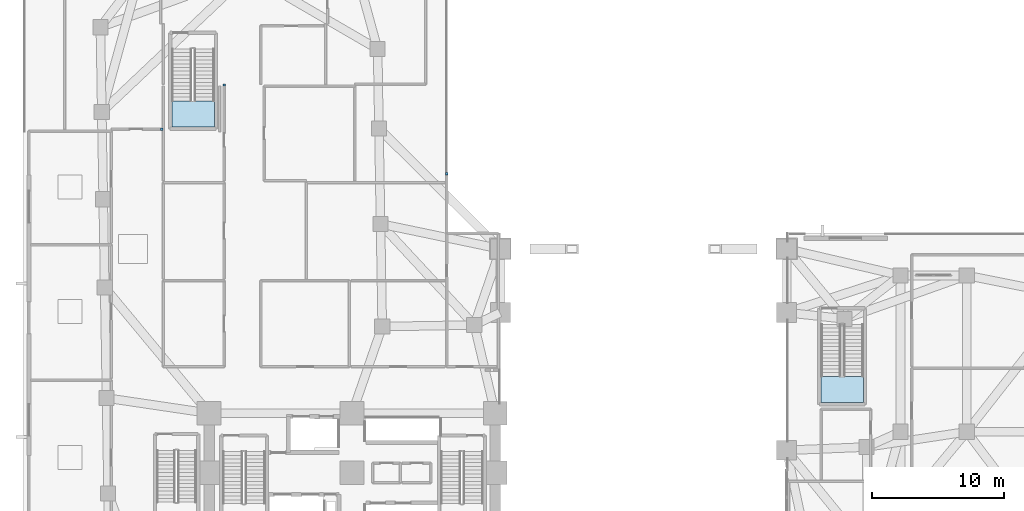
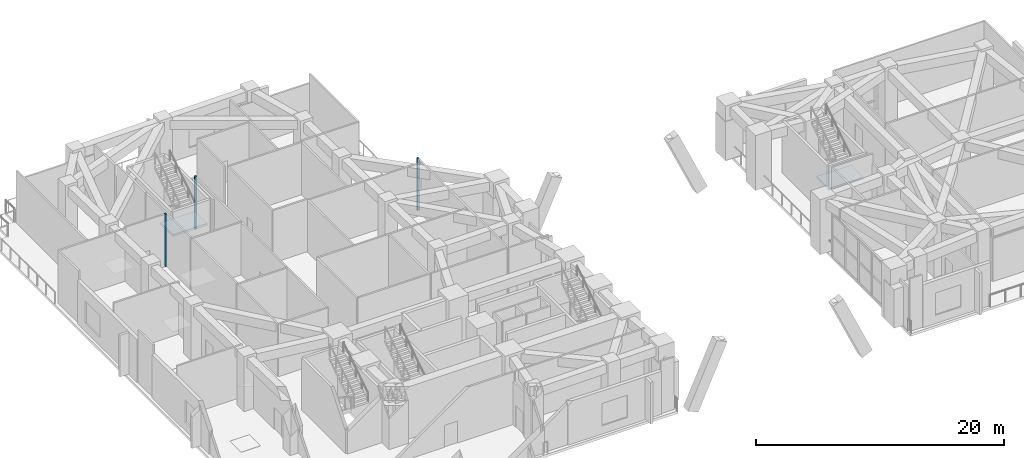
# One storey, part 6 of 18: 3 plates, 2 slabs, 2 elements without a shape of their own.
"""IFC4 building model written with IfcOpenShell, lengths in metres."""

from ifc_helpers import new_model, si_unit, direction, frame, origin, origin_2d, place, context, subcontext, project, spatial, polyline, rectangle, outline, extrude, material, layer, layer_set, type_object, element, aggregate, save


model = new_model("IFC4")

# Units and contexts
model_context = context("Model", 3, precision=1e-05, world=origin(), true_north=direction((0.0, 1.0)))
body_context = subcontext(model_context, "Body", "Model", "MODEL_VIEW")
ifc_project = project(units=[si_unit("LENGTHUNIT", "METRE"), si_unit("AREAUNIT", "SQUARE_METRE"), si_unit("VOLUMEUNIT", "CUBIC_METRE"), si_unit("PLANEANGLEUNIT", "RADIAN"), si_unit("MASSUNIT", "GRAM", prefix="KILO")], contexts=[model_context])

# Site, building, storey
site_placement = place(None, origin())
site = spatial("IfcSite", under=ifc_project, at=site_placement, CompositionType="ELEMENT")
building_placement = place(site_placement, origin())
building = spatial("IfcBuilding", under=site, at=building_placement, Name="Gaonmaruhae Medical Tower", CompositionType="ELEMENT")
storey_placement = place(building_placement, frame((0.0, 0.0, 16.199951171875)))
storey = spatial("IfcBuildingStorey", under=building, at=storey_placement, Name="L03", CompositionType="ELEMENT", Elevation=16.199951171875)

# Plates
ifc_material_1 = material(Name="Anodised aluminium 6063-T6", Category="aluminium")
ifc_layer_1 = layer(ifc_material_1, 0.011962890625)
ifc_layer_set_1 = layer_set([ifc_layer_1], Name="Anodised aluminium 6063-T6")
plate_type = type_object("IfcPlateType", Name="PP-01 Interior Partition Corner Stiffener Plate", PredefinedType="SHEET", material=ifc_layer_set_1)
for number, where, z_axis, x_axis, name in (
    (1, (15.139892578125, 41.580078125, 0.0), (0.0, 0.0, 1.0), (0.0, -1.0, 0.0), "L03 Partition End Jamb Post Plate PLT-L03-ENDP-PW074-0"),
    (2, (10.429931640625, 38.25, 0.0), (0.0, 0.0, 1.0), (-1.0, 0.0, 0.0), "L03 Partition End Jamb Post Plate PLT-L03-ENDP-PW090-0"),
    (3, (31.949951171875, 34.8798828125, 0.0), (0.0, 0.0, 1.0), (0.0, 1.0, 0.0), "L03 Partition End Jamb Post Plate PLT-L03-ENDP-PW021-1"),
):
    element("IfcPlate", number, at=place(storey_placement, frame(where, z_axis=z_axis, x_axis=x_axis)), inside=storey, type_object=plate_type, Name=name, PredefinedType="SHEET", context=body_context, shape_type="SweptSolid", body=[
        extrude(rectangle(XDim=0.179931640625, YDim=0.179931640625, at=origin_2d()), origin(), (0.0, 0.0, 1.0), 5.14990234375),
    ])

# Stair, slab
ifc_material_2 = material(Name="Concrete C40/50", Category="concrete")
stair_type = type_object("IfcStairType", Name="ST-T3 Podium Escape Dogleg Stair", PredefinedType="TWO_QUARTER_TURN_STAIR", material=ifc_material_2)
stair_1_placement = place(storey_placement, origin())
stair_1 = element("IfcStair", 4, at=stair_1_placement, inside=storey, type_object=stair_type, Name="L03 Protected Escape Stair ST-04", PredefinedType="TWO_QUARTER_TURN_STAIR")
ifc_layer_2 = layer(ifc_material_2, 0.199951171875)
ifc_layer_set_2 = layer_set([ifc_layer_2], Name="Concrete C40/50")
slab_type = type_object("IfcSlabType", Name="SL-200 Stair & Ramp Intermediate Concrete Landing", PredefinedType="LANDING", material=ifc_layer_set_2)
slab_1_placement = place(storey_placement, frame((0.0, 0.0, 2.5)))
slab_1 = element("IfcSlab", 5, at=slab_1_placement, type_object=slab_type, Name="ST-04 landing 1", PredefinedType="LANDING", context=body_context, shape_type="SweptSolid", body=[
    extrude(outline(polyline([(60.199951171875, 19.580078125), (60.199951171875, 17.60009765625), (63.39990234375, 17.60009765625), (63.39990234375, 19.580078125), (60.199951171875, 19.580078125)])), origin(), (0.0, 0.0, 1.0), 0.199951171875),
])
aggregate(stair_1, [slab_1])

stair_2_placement = place(storey_placement, origin())
stair_2 = element("IfcStair", 6, at=stair_2_placement, inside=storey, type_object=stair_type, Name="L03 Protected Escape Stair ST-05", PredefinedType="TWO_QUARTER_TURN_STAIR")
slab_2_placement = place(storey_placement, frame((0.0, 0.0, 2.5)))
slab_2 = element("IfcSlab", 7, at=slab_2_placement, type_object=slab_type, Name="ST-05 landing 1", PredefinedType="LANDING", context=body_context, shape_type="SweptSolid", body=[
    extrude(outline(polyline([(11.199951171875, 40.3798828125), (11.199951171875, 38.39990234375), (14.39990234375, 38.39990234375), (14.39990234375, 40.3798828125), (11.199951171875, 40.3798828125)])), origin(), (0.0, 0.0, 1.0), 0.199951171875),
])
aggregate(stair_2, [slab_2])

save(model, "model.ifc")
